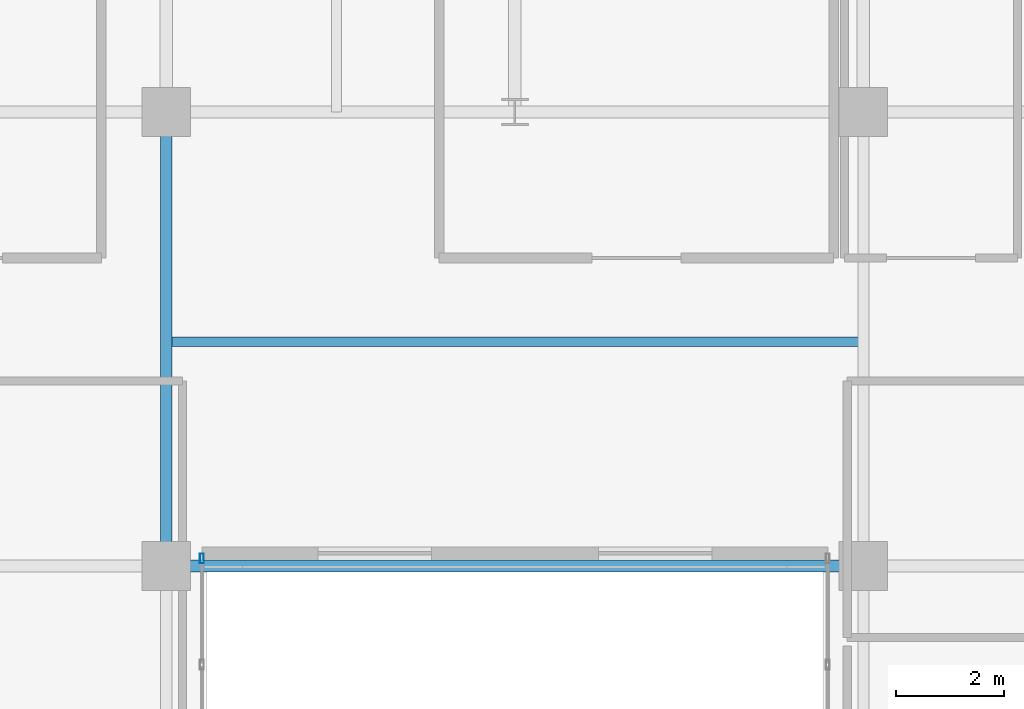
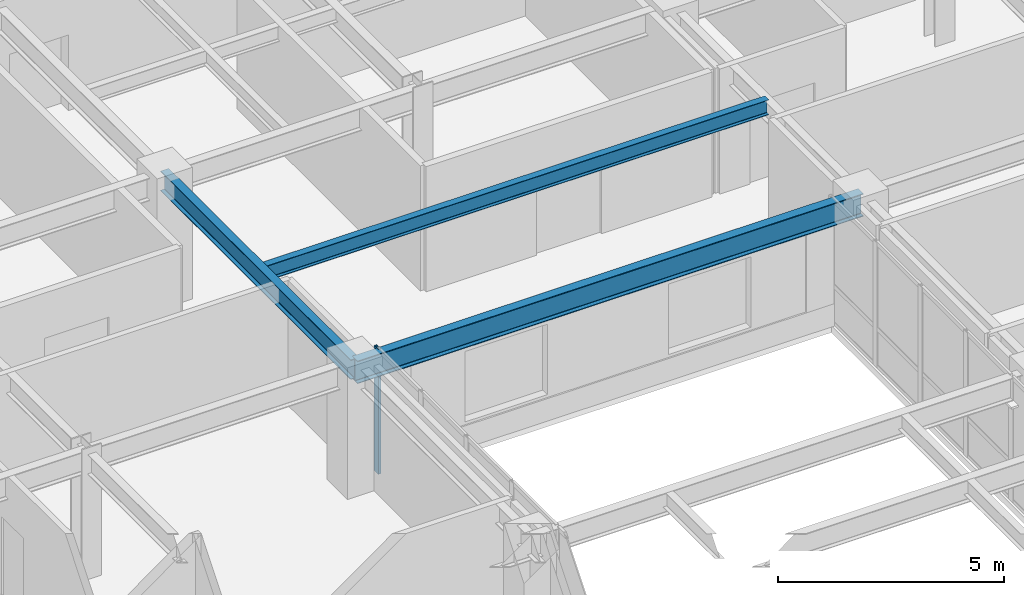
# One storey, part 5 of 24: 3 beams, 1 member, 1 element without a shape of its own.
"""IFC4 building model written with IfcOpenShell, lengths in metres."""

from ifc_helpers import new_model, si_unit, direction, frame, origin, origin_2d, place, context, subcontext, project, spatial, hollow_rectangle, i_section, extrude, source, transform, mapped, material, layer, layer_set, material_profile, profile_set, type_object, type_shapes, element, aggregate, save


model = new_model("IFC4")

# Units and contexts
model_context = context("Model", 3, precision=1e-05, world=origin(), true_north=direction((0.0, 1.0)))
body_context = subcontext(model_context, "Body", "Model", "MODEL_VIEW")
ifc_project = project(units=[si_unit("LENGTHUNIT", "METRE"), si_unit("AREAUNIT", "SQUARE_METRE"), si_unit("VOLUMEUNIT", "CUBIC_METRE"), si_unit("PLANEANGLEUNIT", "RADIAN"), si_unit("MASSUNIT", "GRAM", prefix="KILO")], contexts=[model_context])

# Site, building, storey
site_placement = place(None, origin())
site = spatial("IfcSite", under=ifc_project, at=site_placement, CompositionType="ELEMENT")
building_placement = place(site_placement, origin())
building = spatial("IfcBuilding", under=site, at=building_placement, Name="Tolvann Quenvar Hotel", CompositionType="ELEMENT")
storey_placement = place(building_placement, frame((0.0, 0.0, 118.64990234375)))
storey = spatial("IfcBuildingStorey", under=building, at=storey_placement, Name="L30", CompositionType="ELEMENT", Elevation=118.64990234375)

# Beams
ifc_material_1 = material(Name="Steel Grade 350", Category="steel")
ifc_material_profile_1 = material_profile(ifc_material_1, i_section(OverallWidth=0.22900390625, OverallDepth=0.612060546875, WebThickness=0.011962890625, FlangeThickness=0.01953125, FilletRadius=0.013916015625, at=origin_2d()), Name="610UB125")
ifc_profile_set_1 = profile_set([ifc_material_profile_1], Name="Steel Grade 350")
beam_type_1 = type_object("IfcBeamType", Name="BM_GIRD_610UB125", PredefinedType="BEAM", material=ifc_profile_set_1)
shared_shape_1 = source(origin(), body_context, "Body", "SweptSolid", [
    extrude(i_section(OverallWidth=0.22900390625, OverallDepth=0.612060546875, WebThickness=0.011962890625, FlangeThickness=0.01953125, FilletRadius=0.013916015625, at=origin_2d()), origin(), (0.0, 0.0, 1.0), 12.89990234375),
])
type_shapes(beam_type_1, [shared_shape_1])
beam_1_placement = place(storey_placement, frame((22.050048828125, 16.0, 3.064208984375), z_axis=(1.0, 0.0, 0.0), x_axis=(0.0, 1.0, 0.0)))
element("IfcBeam", 1, at=beam_1_placement, inside=storey, type_object=beam_type_1, Name="BM-L30-EW-4-E4-F4", PredefinedType="BEAM", context=body_context, shape_type="MappedRepresentation", body=[
    mapped(shared_shape_1, transform((0.0, 0.0, 0.0), x_axis=(1.0, 0.0, 0.0), y_axis=(0.0, 1.0, 0.0), z_axis=(0.0, 0.0, 1.0), scale=1.0)),
])
ifc_material_profile_2 = material_profile(ifc_material_1, i_section(OverallWidth=0.208984375, OverallDepth=0.532958984375, WebThickness=0.01025390625, FlangeThickness=0.015625, FilletRadius=0.013916015625, at=origin_2d()), Name="530UB92")
ifc_profile_set_2 = profile_set([ifc_material_profile_2], Name="Steel Grade 350")
beam_type_2 = type_object("IfcBeamType", Name="BM_GIRD_530UB92", PredefinedType="BEAM", material=ifc_profile_set_2)
shared_shape_2 = source(origin(), body_context, "Body", "SweptSolid", [
    extrude(i_section(OverallWidth=0.208984375, OverallDepth=0.532958984375, WebThickness=0.01025390625, FlangeThickness=0.015625, FilletRadius=0.013916015625, at=origin_2d()), origin(), (0.0, 0.0, 1.0), 8.39990234375),
])
type_shapes(beam_type_2, [shared_shape_2])
beam_2_placement = place(storey_placement, frame((22.050048828125, 16.0, 3.103515625), z_axis=(0.0, 1.0, 0.0), x_axis=(-1.0, 0.0, 0.0)))
element("IfcBeam", 2, at=beam_2_placement, inside=storey, type_object=beam_type_2, Name="BM-L30-NS-E4-E5", PredefinedType="BEAM", context=body_context, shape_type="MappedRepresentation", body=[
    mapped(shared_shape_2, transform((0.0, 0.0, 0.0), x_axis=(1.0, 0.0, 0.0), y_axis=(0.0, 1.0, 0.0), z_axis=(0.0, 0.0, 1.0), scale=1.0)),
])
ifc_material_profile_3 = material_profile(ifc_material_1, i_section(OverallWidth=0.177978515625, OverallDepth=0.406005859375, WebThickness=0.0078125, FlangeThickness=0.0126953125, FilletRadius=0.011474609375, at=origin_2d()), Name="410UB60")
ifc_profile_set_3 = profile_set([ifc_material_profile_3], Name="Steel Grade 350")
beam_type_3 = type_object("IfcBeamType", Name="BM_JOIST_410UB60", PredefinedType="JOIST", material=ifc_profile_set_3)
shared_shape_3 = source(origin(), body_context, "Body", "SweptSolid", [
    extrude(i_section(OverallWidth=0.177978515625, OverallDepth=0.406005859375, WebThickness=0.0078125, FlangeThickness=0.0126953125, FilletRadius=0.011474609375, at=origin_2d()), origin(), (0.0, 0.0, 1.0), 12.89990234375),
])
type_shapes(beam_type_3, [shared_shape_3])
beam_3_placement = place(storey_placement, frame((22.050048828125, 20.14990234375, 3.1669921875), z_axis=(1.0, 0.0, 0.0), x_axis=(0.0, 1.0, 0.0)))
element("IfcBeam", 3, at=beam_3_placement, inside=storey, type_object=beam_type_3, Name="BM-L30-SPINE-20", PredefinedType="JOIST", context=body_context, shape_type="MappedRepresentation", body=[
    mapped(shared_shape_3, transform((0.0, 0.0, 0.0), x_axis=(1.0, 0.0, 0.0), y_axis=(0.0, 1.0, 0.0), z_axis=(0.0, 0.0, 1.0), scale=1.0)),
])

# Curtain wall, member
ifc_material_2 = material(Name="Thermally broken anodised architectural aluminium 6063-T6 and laminated low-E glass", Category="aluminium")
ifc_layer = layer(ifc_material_2, 0.179931640625)
ifc_layer_set = layer_set([ifc_layer], Name="Thermally broken anodised architectural aluminium 6063-T6 and laminated low-E glass")
curtain_wall_type = type_object("IfcCurtainWallType", Name="CW_SYS_SLOT_03", PredefinedType="USERDEFINED", material=ifc_layer_set)
curtain_wall_placement = place(storey_placement, origin())
curtain_wall = element("IfcCurtainWall", 4, at=curtain_wall_placement, inside=storey, type_object=curtain_wall_type, Name="Curtain Wall CW-SLOT-03 (CWR-L30-E05)", ObjectType="UNITISED CURTAIN WALL", PredefinedType="USERDEFINED")
ifc_material_3 = material(Name="Anodised architectural aluminium 6063-T6 framing", Category="aluminium")
ifc_material_profile_4 = material_profile(ifc_material_3, hollow_rectangle(XDim=0.070068359375, YDim=0.179931640625, WallThickness=0.00390625, at=origin_2d()), Name="180x70x4RHS")
ifc_profile_set_4 = profile_set([ifc_material_profile_4], Name="Anodised architectural aluminium 6063-T6 framing")
member_type = type_object("IfcMemberType", Name="CW_MULL_180x70", PredefinedType="MULLION", material=ifc_profile_set_4)
shared_shape_4 = source(origin(), body_context, "Body", "SweptSolid", [
    extrude(hollow_rectangle(XDim=0.070068359375, YDim=0.179931640625, WallThickness=0.00390625, at=origin_2d()), origin(), (0.0, 0.0, 1.0), 3.3701171875),
])
type_shapes(member_type, [shared_shape_4])
member_placement = place(storey_placement, frame((22.7099609375, 16.139892578125, 0.0), z_axis=(0.0, 0.0, 1.0), x_axis=(-1.0, 0.0, 0.0)))
member = element("IfcMember", 5, at=member_placement, type_object=member_type, Name="CW-SLOT-03 mullion 9", PredefinedType="MULLION", context=body_context, shape_type="MappedRepresentation", body=[
    mapped(shared_shape_4, transform((0.0, 0.0, 0.0), x_axis=(1.0, 0.0, 0.0), y_axis=(0.0, 1.0, 0.0), z_axis=(0.0, 0.0, 1.0), scale=1.0)),
])
aggregate(curtain_wall, [member])

save(model, "model.ifc")
